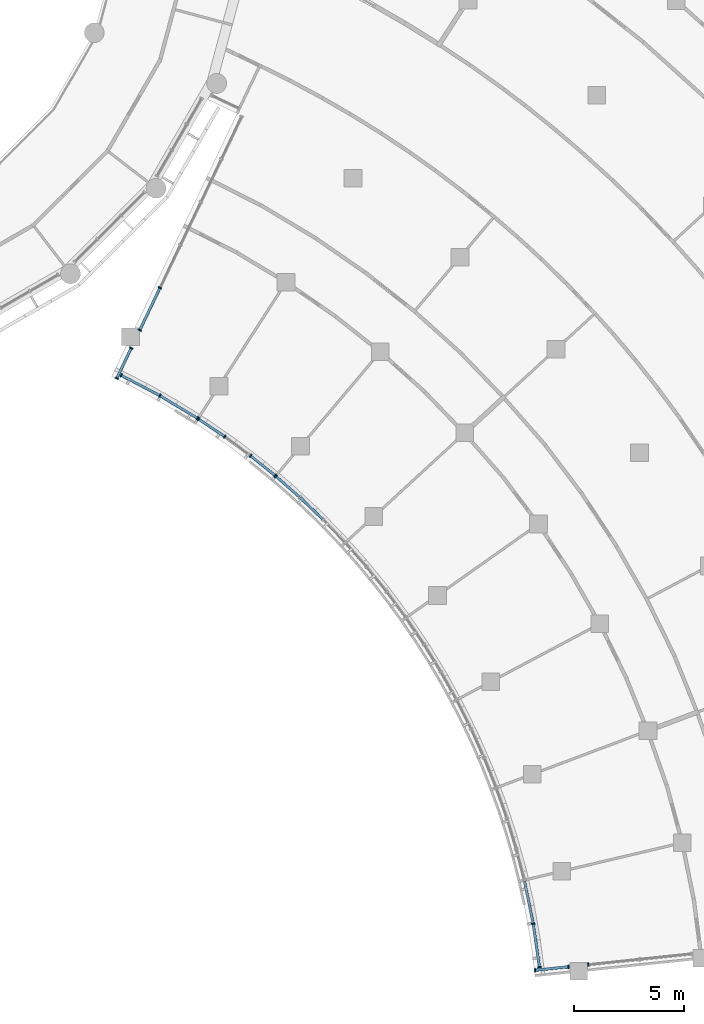
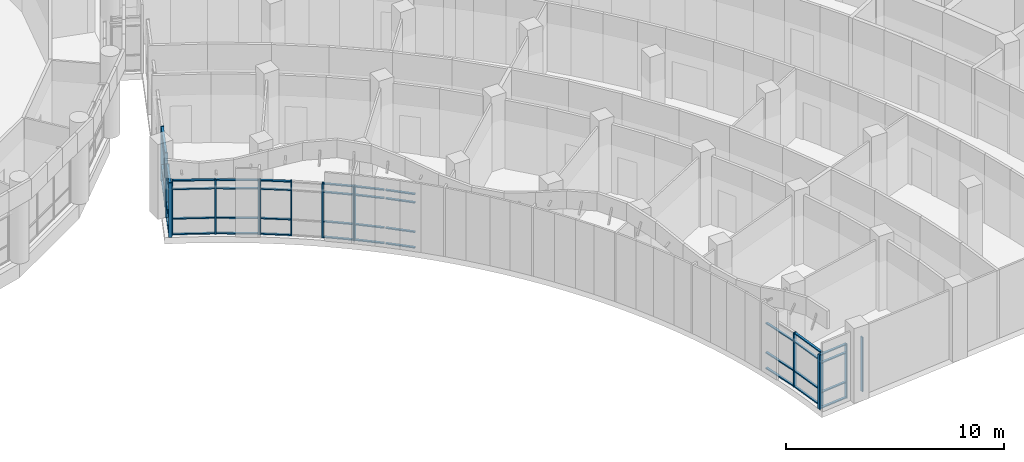
# One storey, part 11 of 109: 60 members, 8 elements without a shape of their own.
"""IFC4 building model written with IfcOpenShell, lengths in metres."""

import ifcopenshell
import ifcopenshell.guid

model = None  # the IFC model being written
_history = None  # IfcOwnerHistory: only IFC2X3 demands one
_inside = {}  # id of a spatial element -> (the spatial element, [elements in it])
_under = {}  # id of a project, library or spatial element -> (it, [spatial elements below it])
_declared = {}  # id of a project -> (the project, [libraries it declares])
_typed = {}  # id of a type object -> (the type object, [elements of that type])
_made_of = {}  # id of a material, layer set ... -> (it, [elements and type objects made of it])


def new_model(schema):
    """Start an empty IFC model of exactly this schema.

    Asked for "IFC4X3", IfcOpenShell would pick the latest addendum, in which some entities
    have other attributes; the version numbers below select the first issue.
    IFC2X3 requires an IfcOwnerHistory on every rooted entity: one is made here for all.
    """
    global model, _history
    if schema == "IFC4X3":
        model = ifcopenshell.file(schema_version=(4, 3, 0, 0))
    else:
        model = ifcopenshell.file(schema=schema)
    _inside.clear()
    _under.clear()
    _declared.clear()
    _typed.clear()
    _made_of.clear()
    _history = None
    if model.schema == "IFC2X3":
        org = make("IfcOrganization", Name="unknown")
        user = make(
            "IfcPersonAndOrganization",
            ThePerson=make("IfcPerson", FamilyName="unknown"),
            TheOrganization=org,
        )
        app = make(
            "IfcApplication",
            ApplicationDeveloper=org,
            Version="unknown",
            ApplicationFullName="unknown",
            ApplicationIdentifier="unknown",
        )
        _history = make(
            "IfcOwnerHistory",
            OwningUser=user,
            OwningApplication=app,
            ChangeAction="ADDED",
            CreationDate=0,
        )
    return model


def make(cls, **values):
    """One entity of the class cls with the attributes given. An attribute that is None is left unset."""
    return model.create_entity(
        cls, **{name: value for name, value in values.items() if value is not None}
    )


def rooted(cls, **values):
    """An entity with a GlobalId (a new one), such as an element, a storey or a relation."""
    return make(cls, GlobalId=ifcopenshell.guid.new(), OwnerHistory=_history, **values)


def si_unit(unit_type, name, prefix=None):
    """IfcSIUnit, for example si_unit("LENGTHUNIT", "METRE", prefix="MILLI")."""
    return make("IfcSIUnit", UnitType=unit_type, Prefix=prefix, Name=name)


def assignment(units):
    """IfcUnitAssignment: the units of a project."""
    return None if units is None else make("IfcUnitAssignment", Units=units)


def point(xyz):
    """IfcCartesianPoint."""
    return None if xyz is None else make("IfcCartesianPoint", Coordinates=xyz)


def direction(xyz):
    """IfcDirection."""
    return None if xyz is None else make("IfcDirection", DirectionRatios=xyz)


def frame(location, z_axis=None, x_axis=None):
    """IfcAxis2Placement3D, a coordinate frame: its origin and axes. An axis left out is left unset."""
    return make(
        "IfcAxis2Placement3D",
        Location=point(location),
        Axis=direction(z_axis),
        RefDirection=direction(x_axis),
    )


def frame_2d(location, x_axis=None):
    """IfcAxis2Placement2D, a coordinate frame in the plane: its origin and x axis."""
    return make(
        "IfcAxis2Placement2D", Location=point(location), RefDirection=direction(x_axis)
    )


def origin():
    """The frame at (0, 0, 0) with its axes left unset."""
    return frame((0.0, 0.0, 0.0))


def origin_2d():
    """The frame at (0, 0) in the plane with its x axis left unset."""
    return frame_2d((0.0, 0.0))


def place(relative_to, where):
    """IfcLocalPlacement: puts the frame where relative to a parent placement (None: the world)."""
    return make(
        "IfcLocalPlacement", PlacementRelTo=relative_to, RelativePlacement=where
    )


def context(
    kind, dimensions, precision=None, world=None, true_north=None, identifier=None
):
    """IfcGeometricRepresentationContext, for example the 3D "Model" context."""
    return make(
        "IfcGeometricRepresentationContext",
        ContextIdentifier=identifier,
        ContextType=kind,
        CoordinateSpaceDimension=dimensions,
        Precision=precision,
        WorldCoordinateSystem=world,
        TrueNorth=true_north,
    )


def subcontext(parent, identifier, kind, view, scale=None):
    """IfcGeometricRepresentationSubContext, for example "Body" below "Model"."""
    return make(
        "IfcGeometricRepresentationSubContext",
        ContextIdentifier=identifier,
        ContextType=kind,
        ParentContext=parent,
        TargetScale=scale,
        TargetView=view,
    )


def project(units=None, contexts=None):
    """IfcProject with its units and contexts."""
    return rooted(
        "IfcProject",
        Name="project",
        RepresentationContexts=contexts,
        UnitsInContext=assignment(units),
    )


def spatial(cls, under=None, at=None, **own):
    """A site, building, storey or space (cls), placed at a placement, below another one or the project."""
    s = rooted(cls, ObjectPlacement=at, **own)
    if under is not None:
        _under.setdefault(under.id(), (under, []))[1].append(s)
    return s


def profile(cls, at=None, kind="AREA", **sizes):
    """A parametric profile (cls). Its sizes go by their IFC names, for example OverallWidth=200.0."""
    return make(cls, ProfileType=kind, Position=at, **sizes)


def rectangle(**sizes):
    """IfcRectangleProfileDef."""
    return profile("IfcRectangleProfileDef", **sizes)


def extrude(swept, where, along, depth):
    """IfcExtrudedAreaSolid: the profile swept, set in the frame where, extruded along a direction by depth."""
    return make(
        "IfcExtrudedAreaSolid",
        SweptArea=swept,
        Position=where,
        ExtrudedDirection=direction(along),
        Depth=depth,
    )


def shape(context_of_items, identifier, shape_type, items):
    """IfcShapeRepresentation: the items that make up one representation, for example the "Body"."""
    return make(
        "IfcShapeRepresentation",
        ContextOfItems=context_of_items,
        RepresentationIdentifier=identifier,
        RepresentationType=shape_type,
        Items=items,
    )


def material(Name=None, Category=None):
    """IfcMaterial."""
    return make("IfcMaterial", Name=Name, Category=Category)


def material_profile(
    of_material, cross_section, Name=None, Category=None, Priority=None
):
    """IfcMaterialProfile: a cross section and its material."""
    return make(
        "IfcMaterialProfile",
        Name=Name,
        Material=of_material,
        Profile=cross_section,
        Priority=Priority,
        Category=Category,
    )


def profile_set(profiles, Name=None, composite=None):
    """IfcMaterialProfileSet."""
    return make(
        "IfcMaterialProfileSet",
        Name=Name,
        MaterialProfiles=profiles,
        CompositeProfile=composite,
    )


def made_of(thing, what):
    """Note that an element or type object is made of a material, layer set ...; save() writes the relation."""
    if what is not None:
        _made_of.setdefault(what.id(), (what, []))[1].append(thing)
    return thing


def type_object(cls, material=None, **own):
    """A type object (cls), such as IfcWallType, which elements share."""
    return made_of(rooted(cls, **own), material)


def element(
    cls,
    number,
    at=None,
    inside=None,
    cuts=None,
    type_object=None,
    material=None,
    context=None,
    identifier="Body",
    shape_type=None,
    held_by="IfcProductDefinitionShape",
    body=None,
    shapes=None,
    **own,
):
    """One element of the class cls, such as IfcWall. Its Tag is "e" and its number.

    at: its placement. inside: the storey or other place that contains it. cuts: it is an
    opening in that element (IfcRelVoidsElement). A single representation is given by context,
    identifier, shape_type and body (its items); several are given by shapes. held_by: the class
    of the entity that holds the representations. save() writes the other relations.
    """
    e = rooted(cls, Tag="e%d" % number, ObjectPlacement=at, **own)
    if body is not None:
        shapes = [shape(context, identifier, shape_type, body)]
    if shapes is not None:
        e.Representation = make(held_by, Representations=shapes)
    if inside is not None:
        _inside.setdefault(inside.id(), (inside, []))[1].append(e)
    if cuts is not None:
        rooted(
            "IfcRelVoidsElement", RelatingBuildingElement=cuts, RelatedOpeningElement=e
        )
    if type_object is not None:
        _typed.setdefault(type_object.id(), (type_object, []))[1].append(e)
    return made_of(e, material)


def aggregate(whole, parts):
    """IfcRelAggregates: a whole, such as a stair, and the parts it consists of."""
    return rooted("IfcRelAggregates", RelatingObject=whole, RelatedObjects=parts)


def save(model, path):
    """Write the relations noted so far, then the file.

    IfcRelAggregates (storeys below a building ...), IfcRelContainedInSpatialStructure (elements
    in a storey), IfcRelDefinesByType, IfcRelAssociatesMaterial and IfcRelDeclares: one each for
    every whole, place, type object, material and project.
    """
    for whole, parts in _under.values():
        aggregate(whole, parts)
    for where, things in _inside.values():
        rooted(
            "IfcRelContainedInSpatialStructure",
            RelatedElements=things,
            RelatingStructure=where,
        )
    for kind, things in _typed.values():
        rooted("IfcRelDefinesByType", RelatedObjects=things, RelatingType=kind)
    for what, things in _made_of.values():
        rooted("IfcRelAssociatesMaterial", RelatedObjects=things, RelatingMaterial=what)
    for by, libraries in _declared.values():
        rooted("IfcRelDeclares", RelatingContext=by, RelatedDefinitions=libraries)
    model.write(path)


model = new_model("IFC4")

# Units and contexts
model_context = context("Model", 3, precision=1e-05, world=origin(), true_north=direction((0.0, 1.0)))
body_context = subcontext(model_context, "Body", "Model", "MODEL_VIEW")
ifc_project = project(units=[si_unit("LENGTHUNIT", "METRE"), si_unit("AREAUNIT", "SQUARE_METRE"), si_unit("VOLUMEUNIT", "CUBIC_METRE"), si_unit("PLANEANGLEUNIT", "RADIAN"), si_unit("MASSUNIT", "GRAM", prefix="KILO")], contexts=[model_context])

# Site, building, storey
site_placement = place(None, origin())
site = spatial("IfcSite", under=ifc_project, at=site_placement, CompositionType="ELEMENT")
building_placement = place(site_placement, origin())
building = spatial("IfcBuilding", under=site, at=building_placement, Name="Bougainvillea Quay General Hospital", CompositionType="ELEMENT")
storey_placement = place(building_placement, frame((0.0, 0.0, 12.60009765625)))
storey = spatial("IfcBuildingStorey", under=building, at=storey_placement, Name="L02", CompositionType="ELEMENT", Elevation=12.60009765625)

# Curtain wall, members
ifc_material_1 = material(Name="Aluminium curtain wall system, powder-coated glazed", Category="aluminium")
curtain_wall_type_1 = type_object("IfcCurtainWallType", Name="Unitised curtain wall CW-2157", PredefinedType="NOTDEFINED", material=ifc_material_1)
curtain_wall_1_placement = place(storey_placement, origin())
curtain_wall_1 = element("IfcCurtainWall", 1, at=curtain_wall_1_placement, inside=storey, type_object=curtain_wall_type_1, Name="CW-AE 00", PredefinedType="NOTDEFINED")
ifc_material_2 = material(Name="Aluminium mullion, powder-coated charcoal", Category="aluminium")
ifc_material_profile_1 = material_profile(ifc_material_2, rectangle(XDim=0.159912109375, YDim=0.06005859375, at=origin_2d()))
ifc_profile_set_1 = profile_set([ifc_material_profile_1], Name="Aluminium mullion, powder-coated charcoal")
member_type_1 = type_object("IfcMemberType", Name="Curtain wall mullion 160x60", PredefinedType="MULLION", material=ifc_profile_set_1)
member_1_placement = place(storey_placement, frame((126.03271484375, 56.71044921875, 0.0), z_axis=(0.0, 0.0, 1.0), x_axis=(0.902576055431, -0.430530445105, 0.0)))
member_1 = element("IfcMember", 2, at=member_1_placement, type_object=member_type_1, Name="CW-AE mullion 5", PredefinedType="MULLION", context=body_context, shape_type="SweptSolid", body=[
    extrude(rectangle(XDim=0.159912109375, YDim=0.06005859375, at=origin_2d()), origin(), (0.0, 0.0, 1.0), 3.0498046875),
])
member_2_placement = place(storey_placement, frame((125.117431640625, 54.79150390625, 0.0), z_axis=(0.0, 0.0, 1.0), x_axis=(0.902576055431, -0.430530445105, 0.0)))
member_2 = element("IfcMember", 3, at=member_2_placement, type_object=member_type_1, Name="CW-AE mullion 6", PredefinedType="MULLION", context=body_context, shape_type="SweptSolid", body=[
    extrude(rectangle(XDim=0.159912109375, YDim=0.06005859375, at=origin_2d()), origin(), (0.0, 0.0, 1.0), 3.0498046875),
])

curtain_wall_type_2 = type_object("IfcCurtainWallType", Name="Unitised curtain wall CW-1580", PredefinedType="NOTDEFINED", material=ifc_material_1)
curtain_wall_2_placement = place(storey_placement, origin())
curtain_wall_2 = element("IfcCurtainWall", 4, at=curtain_wall_2_placement, inside=storey, type_object=curtain_wall_type_2, Name="CW-AE 01", PredefinedType="NOTDEFINED")
member_3_placement = place(storey_placement, frame((124.72998046875, 53.979248046875, 0.0), z_axis=(0.0, 0.0, 1.0), x_axis=(0.902576055431, -0.430530445105, 0.0)))
member_3 = element("IfcMember", 5, at=member_3_placement, type_object=member_type_1, Name="CW-AE mullion 1", PredefinedType="MULLION", context=body_context, shape_type="SweptSolid", body=[
    extrude(rectangle(XDim=0.159912109375, YDim=0.06005859375, at=origin_2d()), origin(), (0.0, 0.0, 1.0), 3.0498046875),
])
member_4_placement = place(storey_placement, frame((124.075439453125, 52.607421875, 0.0), z_axis=(0.0, 0.0, 1.0), x_axis=(0.902576055431, -0.430530445105, 0.0)))
member_4 = element("IfcMember", 6, at=member_4_placement, type_object=member_type_1, Name="CW-AE mullion 2", PredefinedType="MULLION", context=body_context, shape_type="SweptSolid", body=[
    extrude(rectangle(XDim=0.159912109375, YDim=0.06005859375, at=origin_2d()), origin(), (0.0, 0.0, 1.0), 3.0498046875),
])

curtain_wall_type_3 = type_object("IfcCurtainWallType", Name="Unitised curtain wall CW-2100", PredefinedType="NOTDEFINED", material=ifc_material_1)
curtain_wall_3_placement = place(storey_placement, origin())
curtain_wall_3 = element("IfcCurtainWall", 7, at=curtain_wall_3_placement, inside=storey, type_object=curtain_wall_type_3, Name="CW-E01 a21b0", PredefinedType="NOTDEFINED")
member_5_placement = place(storey_placement, frame((124.279541015625, 52.750732421875, 0.0), z_axis=(0.0, 0.0, 1.0), x_axis=(0.46572625668, 0.884928841116, 0.0)))
member_5 = element("IfcMember", 8, at=member_5_placement, type_object=member_type_1, Name="CW-E01 mullion 1", PredefinedType="MULLION", context=body_context, shape_type="SweptSolid", body=[
    extrude(rectangle(XDim=0.159912109375, YDim=0.06005859375, at=origin_2d()), origin(), (0.0, 0.0, 1.0), 3.0498046875),
])
member_6_placement = place(storey_placement, frame((126.035400390625, 51.82666015625, 0.0), z_axis=(0.0, 0.0, 1.0), x_axis=(0.491544628503, 0.870852385993, 0.0)))
member_6 = element("IfcMember", 9, at=member_6_placement, type_object=member_type_1, Name="CW-E01 mullion 2", PredefinedType="MULLION", context=body_context, shape_type="SweptSolid", body=[
    extrude(rectangle(XDim=0.159912109375, YDim=0.06005859375, at=origin_2d()), origin(), (0.0, 0.0, 1.0), 3.0498046875),
])
member_7_placement = place(storey_placement, frame((127.73388671875, 50.801025390625, 0.0), z_axis=(0.0, 0.0, 1.0), x_axis=(0.516937944525, 0.856022874409, 0.0)))
member_7 = element("IfcMember", 10, at=member_7_placement, type_object=member_type_1, Name="CW-E01 mullion 3", PredefinedType="MULLION", context=body_context, shape_type="SweptSolid", body=[
    extrude(rectangle(XDim=0.159912109375, YDim=0.06005859375, at=origin_2d()), origin(), (0.0, 0.0, 1.0), 3.0498046875),
])

curtain_wall_4_placement = place(storey_placement, origin())
curtain_wall_4 = element("IfcCurtainWall", 11, at=curtain_wall_4_placement, inside=storey, type_object=curtain_wall_type_3, Name="CW-E02 a21b1", PredefinedType="NOTDEFINED")
member_8_placement = place(storey_placement, frame((127.784423828125, 50.7685546875, 0.0), z_axis=(0.0, 0.0, 1.0), x_axis=(0.559636552705, 0.828738154592, 0.0)))
member_8 = element("IfcMember", 12, at=member_8_placement, type_object=member_type_1, Name="CW-E02 mullion 1", PredefinedType="MULLION", context=body_context, shape_type="SweptSolid", body=[
    extrude(rectangle(XDim=0.159912109375, YDim=0.06005859375, at=origin_2d()), origin(), (0.0, 0.0, 1.0), 3.0498046875),
])
member_9_placement = place(storey_placement, frame((128.966796875, 49.97021484375, 0.0), z_axis=(0.0, 0.0, 1.0), x_axis=(0.577135687937, 0.816648270499, 0.0)))
member_9 = element("IfcMember", 13, at=member_9_placement, type_object=member_type_1, Name="CW-E02 mullion 2", PredefinedType="MULLION", context=body_context, shape_type="SweptSolid", body=[
    extrude(rectangle(XDim=0.159912109375, YDim=0.06005859375, at=origin_2d()), origin(), (0.0, 0.0, 1.0), 3.0498046875),
])
member_10_placement = place(storey_placement, frame((130.138427734375, 49.104248046875, 0.0), z_axis=(0.0, 0.0, 1.0), x_axis=(0.611342897557, 0.791365820343, 0.0)))
member_10 = element("IfcMember", 14, at=member_10_placement, type_object=member_type_1, Name="CW-E02 mullion 3", PredefinedType="MULLION", context=body_context, shape_type="SweptSolid", body=[
    extrude(rectangle(XDim=0.159912109375, YDim=0.06005859375, at=origin_2d()), origin(), (0.0, 0.0, 1.0), 3.0498046875),
])
member_11_placement = place(storey_placement, frame((131.248779296875, 48.2080078125, 0.0), z_axis=(0.0, 0.0, 1.0), x_axis=(0.628035497086, 0.778184691702, 0.0)))
member_11 = element("IfcMember", 15, at=member_11_placement, type_object=member_type_1, Name="CW-E02 mullion 4", PredefinedType="MULLION", context=body_context, shape_type="SweptSolid", body=[
    extrude(rectangle(XDim=0.159912109375, YDim=0.06005859375, at=origin_2d()), origin(), (0.0, 0.0, 1.0), 3.0498046875),
])

# Curtain wall, member
curtain_wall_5_placement = place(storey_placement, origin())
curtain_wall_5 = element("IfcCurtainWall", 16, at=curtain_wall_5_placement, inside=storey, type_object=curtain_wall_type_3, Name="CW-E03 a21b2", PredefinedType="NOTDEFINED")
member_12_placement = place(storey_placement, frame((131.294677734375, 48.16943359375, 0.0), z_axis=(0.0, 0.0, 1.0), x_axis=(0.660560931643, 0.750772439283, 0.0)))
member_12 = element("IfcMember", 17, at=member_12_placement, type_object=member_type_1, Name="CW-E03 mullion 1", PredefinedType="MULLION", context=body_context, shape_type="SweptSolid", body=[
    extrude(rectangle(XDim=0.159912109375, YDim=0.06005859375, at=origin_2d()), origin(), (0.0, 0.0, 1.0), 3.0498046875),
])

# Curtain wall, members
curtain_wall_6_placement = place(storey_placement, origin())
curtain_wall_6 = element("IfcCurtainWall", 18, at=curtain_wall_6_placement, inside=storey, type_object=curtain_wall_type_3, Name="CW-E08 a21b7", PredefinedType="NOTDEFINED")
member_13_placement = place(storey_placement, frame((142.935302734375, 27.914794921875, 0.0), z_axis=(0.0, 0.0, 1.0), x_axis=(0.984975544783, 0.172693879972, 0.0)))
member_13 = element("IfcMember", 19, at=member_13_placement, type_object=member_type_1, Name="CW-E08 mullion 2", PredefinedType="MULLION", context=body_context, shape_type="SweptSolid", body=[
    extrude(rectangle(XDim=0.159912109375, YDim=0.06005859375, at=origin_2d()), origin(), (0.0, 0.0, 1.0), 3.0498046875),
])
member_14_placement = place(storey_placement, frame((143.220458984375, 25.9501953125, 0.0), z_axis=(0.0, 0.0, 1.0), x_axis=(0.989629521715, 0.143643342173, 0.0)))
member_14 = element("IfcMember", 20, at=member_14_placement, type_object=member_type_1, Name="CW-E08 mullion 3", PredefinedType="MULLION", context=body_context, shape_type="SweptSolid", body=[
    extrude(rectangle(XDim=0.159912109375, YDim=0.06005859375, at=origin_2d()), origin(), (0.0, 0.0, 1.0), 3.0498046875),
])

curtain_wall_type_4 = type_object("IfcCurtainWallType", Name="Unitised curtain wall CW-1581", PredefinedType="NOTDEFINED", material=ifc_material_1)
curtain_wall_7_placement = place(storey_placement, origin())
curtain_wall_7 = element("IfcCurtainWall", 21, at=curtain_wall_7_placement, inside=storey, type_object=curtain_wall_type_4, Name="CW-AE 00", PredefinedType="NOTDEFINED")
member_15_placement = place(storey_placement, frame((143.017822265625, 25.8056640625, 0.0), z_axis=(0.0, 0.0, 1.0), x_axis=(-0.104527173765, 0.9945220309, 0.0)))
member_15 = element("IfcMember", 22, at=member_15_placement, type_object=member_type_1, Name="CW-AE mullion 1", PredefinedType="MULLION", context=body_context, shape_type="SweptSolid", body=[
    extrude(rectangle(XDim=0.159912109375, YDim=0.06005859375, at=origin_2d()), origin(), (0.0, 0.0, 1.0), 3.0498046875),
])
member_16_placement = place(storey_placement, frame((144.529541015625, 25.964599609375, 0.0), z_axis=(0.0, 0.0, 1.0), x_axis=(-0.104527173765, 0.9945220309, 0.0)))
member_16 = element("IfcMember", 23, at=member_16_placement, type_object=member_type_1, Name="CW-AE mullion 2", PredefinedType="MULLION", context=body_context, shape_type="SweptSolid", body=[
    extrude(rectangle(XDim=0.159912109375, YDim=0.06005859375, at=origin_2d()), origin(), (0.0, 0.0, 1.0), 3.0498046875),
])

# Curtain wall, member
curtain_wall_type_5 = type_object("IfcCurtainWallType", Name="Unitised curtain wall CW-2380", PredefinedType="NOTDEFINED", material=ifc_material_1)
curtain_wall_8_placement = place(storey_placement, origin())
curtain_wall_8 = element("IfcCurtainWall", 24, at=curtain_wall_8_placement, inside=storey, type_object=curtain_wall_type_5, Name="CW-AE 01", PredefinedType="NOTDEFINED")
member_17_placement = place(storey_placement, frame((145.4248046875, 26.058837890625, 0.0), z_axis=(0.0, 0.0, 1.0), x_axis=(-0.104527173765, 0.9945220309, 0.0)))
member_17 = element("IfcMember", 25, at=member_17_placement, type_object=member_type_1, Name="CW-AE mullion 1", PredefinedType="MULLION", context=body_context, shape_type="SweptSolid", body=[
    extrude(rectangle(XDim=0.159912109375, YDim=0.06005859375, at=origin_2d()), origin(), (0.0, 0.0, 1.0), 3.0498046875),
])
aggregate(curtain_wall_8, [member_17])

# Member
ifc_material_3 = material(Name="Aluminium transom, powder-coated charcoal", Category="aluminium")
ifc_material_profile_2 = material_profile(ifc_material_3, rectangle(XDim=0.1201171875, YDim=0.06005859375, at=origin_2d()))
ifc_profile_set_2 = profile_set([ifc_material_profile_2], Name="Aluminium transom, powder-coated charcoal")
member_type_2 = type_object("IfcMemberType", Name="Curtain wall transom 120x60", PredefinedType="USERDEFINED", material=ifc_profile_set_2)
member_18_placement = place(storey_placement, frame((126.019775390625, 56.683349609375, 0.02978515625), z_axis=(-0.430497703886, -0.902591672324, 0.0), x_axis=(0.902591672324, -0.430497703886, 0.0)))
member_18 = element("IfcMember", 26, at=member_18_placement, type_object=member_type_2, Name="CW-AE transom 5.1", ObjectType="TRANSOM", PredefinedType="USERDEFINED", context=body_context, shape_type="SweptSolid", body=[
    extrude(rectangle(XDim=0.1201171875, YDim=0.06005859375, at=origin_2d()), origin(), (0.0, 0.0, 1.0), 2.06591796875),
])

member_19_placement = place(storey_placement, frame((126.019775390625, 56.683349609375, 0.89990234375), z_axis=(-0.430497703886, -0.902591672324, 0.0), x_axis=(0.902591672324, -0.430497703886, 0.0)))
member_19 = element("IfcMember", 27, at=member_19_placement, type_object=member_type_2, Name="CW-AE transom 5.2", ObjectType="TRANSOM", PredefinedType="USERDEFINED", context=body_context, shape_type="SweptSolid", body=[
    extrude(rectangle(XDim=0.1201171875, YDim=0.06005859375, at=origin_2d()), origin(), (0.0, 0.0, 1.0), 2.06591796875),
])

member_20_placement = place(storey_placement, frame((126.019775390625, 56.683349609375, 2.5498046875), z_axis=(-0.430497703886, -0.902591672324, 0.0), x_axis=(0.902591672324, -0.430497703886, 0.0)))
member_20 = element("IfcMember", 28, at=member_20_placement, type_object=member_type_2, Name="CW-AE transom 5.3", ObjectType="TRANSOM", PredefinedType="USERDEFINED", context=body_context, shape_type="SweptSolid", body=[
    extrude(rectangle(XDim=0.1201171875, YDim=0.06005859375, at=origin_2d()), origin(), (0.0, 0.0, 1.0), 2.06591796875),
])

member_21_placement = place(storey_placement, frame((126.019775390625, 56.683349609375, 3.02001953125), z_axis=(-0.430497703886, -0.902591672324, 0.0), x_axis=(0.902591672324, -0.430497703886, 0.0)))
member_21 = element("IfcMember", 29, at=member_21_placement, type_object=member_type_2, Name="CW-AE transom 5.4", ObjectType="TRANSOM", PredefinedType="USERDEFINED", context=body_context, shape_type="SweptSolid", body=[
    extrude(rectangle(XDim=0.1201171875, YDim=0.06005859375, at=origin_2d()), origin(), (0.0, 0.0, 1.0), 2.06591796875),
])

aggregate(curtain_wall_1, [member_1, member_2, member_18, member_19, member_20, member_21])

member_22_placement = place(storey_placement, frame((124.717041015625, 53.9521484375, 0.02978515625), z_axis=(-0.430615048018, -0.902535694818, 0.0), x_axis=(0.902535694818, -0.430615048018, 0.0)))
member_22 = element("IfcMember", 30, at=member_22_placement, type_object=member_type_2, Name="CW-AE transom 1.1", ObjectType="TRANSOM", PredefinedType="USERDEFINED", context=body_context, shape_type="SweptSolid", body=[
    extrude(rectangle(XDim=0.1201171875, YDim=0.06005859375, at=origin_2d()), origin(), (0.0, 0.0, 1.0), 1.4599609375),
])

member_23_placement = place(storey_placement, frame((124.717041015625, 53.9521484375, 0.89990234375), z_axis=(-0.430615048018, -0.902535694818, 0.0), x_axis=(0.902535694818, -0.430615048018, 0.0)))
member_23 = element("IfcMember", 31, at=member_23_placement, type_object=member_type_2, Name="CW-AE transom 1.2", ObjectType="TRANSOM", PredefinedType="USERDEFINED", context=body_context, shape_type="SweptSolid", body=[
    extrude(rectangle(XDim=0.1201171875, YDim=0.06005859375, at=origin_2d()), origin(), (0.0, 0.0, 1.0), 1.4599609375),
])

member_24_placement = place(storey_placement, frame((124.717041015625, 53.9521484375, 2.5498046875), z_axis=(-0.430615048018, -0.902535694818, 0.0), x_axis=(0.902535694818, -0.430615048018, 0.0)))
member_24 = element("IfcMember", 32, at=member_24_placement, type_object=member_type_2, Name="CW-AE transom 1.3", ObjectType="TRANSOM", PredefinedType="USERDEFINED", context=body_context, shape_type="SweptSolid", body=[
    extrude(rectangle(XDim=0.1201171875, YDim=0.06005859375, at=origin_2d()), origin(), (0.0, 0.0, 1.0), 1.4599609375),
])

member_25_placement = place(storey_placement, frame((124.717041015625, 53.9521484375, 3.02001953125), z_axis=(-0.430615048018, -0.902535694818, 0.0), x_axis=(0.902535694818, -0.430615048018, 0.0)))
member_25 = element("IfcMember", 33, at=member_25_placement, type_object=member_type_2, Name="CW-AE transom 1.4", ObjectType="TRANSOM", PredefinedType="USERDEFINED", context=body_context, shape_type="SweptSolid", body=[
    extrude(rectangle(XDim=0.1201171875, YDim=0.06005859375, at=origin_2d()), origin(), (0.0, 0.0, 1.0), 1.4599609375),
])

aggregate(curtain_wall_2, [member_3, member_4, member_22, member_23, member_24, member_25])

member_26_placement = place(storey_placement, frame((124.30615234375, 52.73681640625, 0.02978515625), z_axis=(0.884893449726, -0.465793497841, 0.0), x_axis=(0.465793497841, 0.884893449726, 0.0)))
member_26 = element("IfcMember", 34, at=member_26_placement, type_object=member_type_2, Name="CW-E01 transom 1.1", ObjectType="TRANSOM", PredefinedType="USERDEFINED", context=body_context, shape_type="SweptSolid", body=[
    extrude(rectangle(XDim=0.1201171875, YDim=0.06005859375, at=origin_2d()), origin(), (0.0, 0.0, 1.0), 1.924072265625),
])

member_27_placement = place(storey_placement, frame((124.30615234375, 52.73681640625, 0.89990234375), z_axis=(0.884893449726, -0.465793497841, 0.0), x_axis=(0.465793497841, 0.884893449726, 0.0)))
member_27 = element("IfcMember", 35, at=member_27_placement, type_object=member_type_2, Name="CW-E01 transom 1.2", ObjectType="TRANSOM", PredefinedType="USERDEFINED", context=body_context, shape_type="SweptSolid", body=[
    extrude(rectangle(XDim=0.1201171875, YDim=0.06005859375, at=origin_2d()), origin(), (0.0, 0.0, 1.0), 1.924072265625),
])

member_28_placement = place(storey_placement, frame((124.30615234375, 52.73681640625, 2.5498046875), z_axis=(0.884893449726, -0.465793497841, 0.0), x_axis=(0.465793497841, 0.884893449726, 0.0)))
member_28 = element("IfcMember", 36, at=member_28_placement, type_object=member_type_2, Name="CW-E01 transom 1.3", ObjectType="TRANSOM", PredefinedType="USERDEFINED", context=body_context, shape_type="SweptSolid", body=[
    extrude(rectangle(XDim=0.1201171875, YDim=0.06005859375, at=origin_2d()), origin(), (0.0, 0.0, 1.0), 1.924072265625),
])

member_29_placement = place(storey_placement, frame((124.30615234375, 52.73681640625, 3.02001953125), z_axis=(0.884893449726, -0.465793497841, 0.0), x_axis=(0.465793497841, 0.884893449726, 0.0)))
member_29 = element("IfcMember", 37, at=member_29_placement, type_object=member_type_2, Name="CW-E01 transom 1.4", ObjectType="TRANSOM", PredefinedType="USERDEFINED", context=body_context, shape_type="SweptSolid", body=[
    extrude(rectangle(XDim=0.1201171875, YDim=0.06005859375, at=origin_2d()), origin(), (0.0, 0.0, 1.0), 1.924072265625),
])

member_30_placement = place(storey_placement, frame((126.06103515625, 51.81103515625, 0.02978515625), z_axis=(0.856045378247, -0.516900677483, 0.0), x_axis=(0.516900677483, 0.856045378247, 0.0)))
member_30 = element("IfcMember", 38, at=member_30_placement, type_object=member_type_2, Name="CW-E01 transom 2.1", ObjectType="TRANSOM", PredefinedType="USERDEFINED", context=body_context, shape_type="SweptSolid", body=[
    extrude(rectangle(XDim=0.1201171875, YDim=0.06005859375, at=origin_2d()), origin(), (0.0, 0.0, 1.0), 1.92431640625),
])

member_31_placement = place(storey_placement, frame((126.06103515625, 51.81103515625, 0.89990234375), z_axis=(0.856045378247, -0.516900677483, 0.0), x_axis=(0.516900677483, 0.856045378247, 0.0)))
member_31 = element("IfcMember", 39, at=member_31_placement, type_object=member_type_2, Name="CW-E01 transom 2.2", ObjectType="TRANSOM", PredefinedType="USERDEFINED", context=body_context, shape_type="SweptSolid", body=[
    extrude(rectangle(XDim=0.1201171875, YDim=0.06005859375, at=origin_2d()), origin(), (0.0, 0.0, 1.0), 1.92431640625),
])

member_32_placement = place(storey_placement, frame((126.06103515625, 51.81103515625, 2.5498046875), z_axis=(0.856045378247, -0.516900677483, 0.0), x_axis=(0.516900677483, 0.856045378247, 0.0)))
member_32 = element("IfcMember", 40, at=member_32_placement, type_object=member_type_2, Name="CW-E01 transom 2.3", ObjectType="TRANSOM", PredefinedType="USERDEFINED", context=body_context, shape_type="SweptSolid", body=[
    extrude(rectangle(XDim=0.1201171875, YDim=0.06005859375, at=origin_2d()), origin(), (0.0, 0.0, 1.0), 1.92431640625),
])

member_33_placement = place(storey_placement, frame((126.06103515625, 51.81103515625, 3.02001953125), z_axis=(0.856045378247, -0.516900677483, 0.0), x_axis=(0.516900677483, 0.856045378247, 0.0)))
member_33 = element("IfcMember", 41, at=member_33_placement, type_object=member_type_2, Name="CW-E01 transom 2.4", ObjectType="TRANSOM", PredefinedType="USERDEFINED", context=body_context, shape_type="SweptSolid", body=[
    extrude(rectangle(XDim=0.1201171875, YDim=0.06005859375, at=origin_2d()), origin(), (0.0, 0.0, 1.0), 1.92431640625),
])

aggregate(curtain_wall_3, [member_5, member_6, member_7, member_26, member_27, member_28, member_29, member_30, member_31, member_32, member_33])

member_34_placement = place(storey_placement, frame((127.809326171875, 50.751953125, 0.02978515625), z_axis=(0.828627038145, -0.559801064356, 0.0), x_axis=(0.559801064356, 0.828627038145, 0.0)))
member_34 = element("IfcMember", 42, at=member_34_placement, type_object=member_type_2, Name="CW-E02 transom 1.1", ObjectType="TRANSOM", PredefinedType="USERDEFINED", context=body_context, shape_type="SweptSolid", body=[
    extrude(rectangle(XDim=0.1201171875, YDim=0.06005859375, at=origin_2d()), origin(), (0.0, 0.0, 1.0), 1.36669921875),
])

member_35_placement = place(storey_placement, frame((127.809326171875, 50.751953125, 0.89990234375), z_axis=(0.828627038145, -0.559801064356, 0.0), x_axis=(0.559801064356, 0.828627038145, 0.0)))
member_35 = element("IfcMember", 43, at=member_35_placement, type_object=member_type_2, Name="CW-E02 transom 1.2", ObjectType="TRANSOM", PredefinedType="USERDEFINED", context=body_context, shape_type="SweptSolid", body=[
    extrude(rectangle(XDim=0.1201171875, YDim=0.06005859375, at=origin_2d()), origin(), (0.0, 0.0, 1.0), 1.36669921875),
])

member_36_placement = place(storey_placement, frame((127.809326171875, 50.751953125, 2.5498046875), z_axis=(0.828627038145, -0.559801064356, 0.0), x_axis=(0.559801064356, 0.828627038145, 0.0)))
member_36 = element("IfcMember", 44, at=member_36_placement, type_object=member_type_2, Name="CW-E02 transom 1.3", ObjectType="TRANSOM", PredefinedType="USERDEFINED", context=body_context, shape_type="SweptSolid", body=[
    extrude(rectangle(XDim=0.1201171875, YDim=0.06005859375, at=origin_2d()), origin(), (0.0, 0.0, 1.0), 1.36669921875),
])

member_37_placement = place(storey_placement, frame((127.809326171875, 50.751953125, 3.02001953125), z_axis=(0.828627038145, -0.559801064356, 0.0), x_axis=(0.559801064356, 0.828627038145, 0.0)))
member_37 = element("IfcMember", 45, at=member_37_placement, type_object=member_type_2, Name="CW-E02 transom 1.4", ObjectType="TRANSOM", PredefinedType="USERDEFINED", context=body_context, shape_type="SweptSolid", body=[
    extrude(rectangle(XDim=0.1201171875, YDim=0.06005859375, at=origin_2d()), origin(), (0.0, 0.0, 1.0), 1.36669921875),
])

member_38_placement = place(storey_placement, frame((130.161865234375, 49.08544921875, 0.02978515625), z_axis=(0.778213103067, -0.628000291573, 0.0), x_axis=(0.628000291573, 0.778213103067, 0.0)))
member_38 = element("IfcMember", 46, at=member_38_placement, type_object=member_type_2, Name="CW-E02 transom 3.1", ObjectType="TRANSOM", PredefinedType="USERDEFINED", context=body_context, shape_type="SweptSolid", body=[
    extrude(rectangle(XDim=0.1201171875, YDim=0.06005859375, at=origin_2d()), origin(), (0.0, 0.0, 1.0), 1.366943359375),
])

member_39_placement = place(storey_placement, frame((130.161865234375, 49.08544921875, 0.89990234375), z_axis=(0.778213103067, -0.628000291573, 0.0), x_axis=(0.628000291573, 0.778213103067, 0.0)))
member_39 = element("IfcMember", 47, at=member_39_placement, type_object=member_type_2, Name="CW-E02 transom 3.2", ObjectType="TRANSOM", PredefinedType="USERDEFINED", context=body_context, shape_type="SweptSolid", body=[
    extrude(rectangle(XDim=0.1201171875, YDim=0.06005859375, at=origin_2d()), origin(), (0.0, 0.0, 1.0), 1.366943359375),
])

member_40_placement = place(storey_placement, frame((130.161865234375, 49.08544921875, 2.5498046875), z_axis=(0.778213103067, -0.628000291573, 0.0), x_axis=(0.628000291573, 0.778213103067, 0.0)))
member_40 = element("IfcMember", 48, at=member_40_placement, type_object=member_type_2, Name="CW-E02 transom 3.3", ObjectType="TRANSOM", PredefinedType="USERDEFINED", context=body_context, shape_type="SweptSolid", body=[
    extrude(rectangle(XDim=0.1201171875, YDim=0.06005859375, at=origin_2d()), origin(), (0.0, 0.0, 1.0), 1.366943359375),
])

member_41_placement = place(storey_placement, frame((130.161865234375, 49.08544921875, 3.02001953125), z_axis=(0.778213103067, -0.628000291573, 0.0), x_axis=(0.628000291573, 0.778213103067, 0.0)))
member_41 = element("IfcMember", 49, at=member_41_placement, type_object=member_type_2, Name="CW-E02 transom 3.4", ObjectType="TRANSOM", PredefinedType="USERDEFINED", context=body_context, shape_type="SweptSolid", body=[
    extrude(rectangle(XDim=0.1201171875, YDim=0.06005859375, at=origin_2d()), origin(), (0.0, 0.0, 1.0), 1.366943359375),
])

aggregate(curtain_wall_4, [member_8, member_9, member_10, member_11, member_34, member_35, member_36, member_37, member_38, member_39, member_40, member_41])

member_42_placement = place(storey_placement, frame((131.317138671875, 48.149658203125, 0.02978515625), z_axis=(0.750848138241, -0.660474884685, 0.0), x_axis=(0.660474884685, 0.750848138241, 0.0)))
member_42 = element("IfcMember", 50, at=member_42_placement, type_object=member_type_2, Name="CW-E03 transom 1.1", ObjectType="TRANSOM", PredefinedType="USERDEFINED", context=body_context, shape_type="SweptSolid", body=[
    extrude(rectangle(XDim=0.1201171875, YDim=0.06005859375, at=origin_2d()), origin(), (0.0, 0.0, 1.0), 1.366943359375),
])

member_43_placement = place(storey_placement, frame((131.317138671875, 48.149658203125, 0.89990234375), z_axis=(0.750848138241, -0.660474884685, 0.0), x_axis=(0.660474884685, 0.750848138241, 0.0)))
member_43 = element("IfcMember", 51, at=member_43_placement, type_object=member_type_2, Name="CW-E03 transom 1.2", ObjectType="TRANSOM", PredefinedType="USERDEFINED", context=body_context, shape_type="SweptSolid", body=[
    extrude(rectangle(XDim=0.1201171875, YDim=0.06005859375, at=origin_2d()), origin(), (0.0, 0.0, 1.0), 1.366943359375),
])

member_44_placement = place(storey_placement, frame((131.317138671875, 48.149658203125, 2.5498046875), z_axis=(0.750848138241, -0.660474884685, 0.0), x_axis=(0.660474884685, 0.750848138241, 0.0)))
member_44 = element("IfcMember", 52, at=member_44_placement, type_object=member_type_2, Name="CW-E03 transom 1.3", ObjectType="TRANSOM", PredefinedType="USERDEFINED", context=body_context, shape_type="SweptSolid", body=[
    extrude(rectangle(XDim=0.1201171875, YDim=0.06005859375, at=origin_2d()), origin(), (0.0, 0.0, 1.0), 1.366943359375),
])

member_45_placement = place(storey_placement, frame((131.317138671875, 48.149658203125, 3.02001953125), z_axis=(0.750848138241, -0.660474884685, 0.0), x_axis=(0.660474884685, 0.750848138241, 0.0)))
member_45 = element("IfcMember", 53, at=member_45_placement, type_object=member_type_2, Name="CW-E03 transom 1.4", ObjectType="TRANSOM", PredefinedType="USERDEFINED", context=body_context, shape_type="SweptSolid", body=[
    extrude(rectangle(XDim=0.1201171875, YDim=0.06005859375, at=origin_2d()), origin(), (0.0, 0.0, 1.0), 1.366943359375),
])

member_46_placement = place(storey_placement, frame((132.3876953125, 47.2060546875, 0.02978515625), z_axis=(0.722064602887, -0.69182563501, 0.0), x_axis=(0.69182563501, 0.722064602887, 0.0)))
member_46 = element("IfcMember", 54, at=member_46_placement, type_object=member_type_2, Name="CW-E03 transom 2.1", ObjectType="TRANSOM", PredefinedType="USERDEFINED", context=body_context, shape_type="SweptSolid", body=[
    extrude(rectangle(XDim=0.1201171875, YDim=0.06005859375, at=origin_2d()), origin(), (0.0, 0.0, 1.0), 1.396728515625),
])

member_47_placement = place(storey_placement, frame((132.3876953125, 47.2060546875, 0.89990234375), z_axis=(0.722064602887, -0.69182563501, 0.0), x_axis=(0.69182563501, 0.722064602887, 0.0)))
member_47 = element("IfcMember", 55, at=member_47_placement, type_object=member_type_2, Name="CW-E03 transom 2.2", ObjectType="TRANSOM", PredefinedType="USERDEFINED", context=body_context, shape_type="SweptSolid", body=[
    extrude(rectangle(XDim=0.1201171875, YDim=0.06005859375, at=origin_2d()), origin(), (0.0, 0.0, 1.0), 1.396728515625),
])

member_48_placement = place(storey_placement, frame((132.3876953125, 47.2060546875, 2.5498046875), z_axis=(0.722064602887, -0.69182563501, 0.0), x_axis=(0.69182563501, 0.722064602887, 0.0)))
member_48 = element("IfcMember", 56, at=member_48_placement, type_object=member_type_2, Name="CW-E03 transom 2.3", ObjectType="TRANSOM", PredefinedType="USERDEFINED", context=body_context, shape_type="SweptSolid", body=[
    extrude(rectangle(XDim=0.1201171875, YDim=0.06005859375, at=origin_2d()), origin(), (0.0, 0.0, 1.0), 1.396728515625),
])

member_49_placement = place(storey_placement, frame((132.3876953125, 47.2060546875, 3.02001953125), z_axis=(0.722064602887, -0.69182563501, 0.0), x_axis=(0.69182563501, 0.722064602887, 0.0)))
member_49 = element("IfcMember", 57, at=member_49_placement, type_object=member_type_2, Name="CW-E03 transom 2.4", ObjectType="TRANSOM", PredefinedType="USERDEFINED", context=body_context, shape_type="SweptSolid", body=[
    extrude(rectangle(XDim=0.1201171875, YDim=0.06005859375, at=origin_2d()), origin(), (0.0, 0.0, 1.0), 1.396728515625),
])

aggregate(curtain_wall_5, [member_12, member_42, member_43, member_44, member_45, member_46, member_47, member_48, member_49])

member_50_placement = place(storey_placement, frame((142.541259765625, 29.829833984375, 0.02978515625), z_axis=(0.201502639399, -0.979487971501, 0.0), x_axis=(0.979487971501, 0.201502639399, 0.0)))
member_50 = element("IfcMember", 58, at=member_50_placement, type_object=member_type_2, Name="CW-E08 transom 1.1", ObjectType="TRANSOM", PredefinedType="USERDEFINED", context=body_context, shape_type="SweptSolid", body=[
    extrude(rectangle(XDim=0.1201171875, YDim=0.06005859375, at=origin_2d()), origin(), (0.0, 0.0, 1.0), 1.92529296875),
])

member_51_placement = place(storey_placement, frame((142.541259765625, 29.829833984375, 0.89990234375), z_axis=(0.201502639399, -0.979487971501, 0.0), x_axis=(0.979487971501, 0.201502639399, 0.0)))
member_51 = element("IfcMember", 59, at=member_51_placement, type_object=member_type_2, Name="CW-E08 transom 1.2", ObjectType="TRANSOM", PredefinedType="USERDEFINED", context=body_context, shape_type="SweptSolid", body=[
    extrude(rectangle(XDim=0.1201171875, YDim=0.06005859375, at=origin_2d()), origin(), (0.0, 0.0, 1.0), 1.92529296875),
])

member_52_placement = place(storey_placement, frame((142.541259765625, 29.829833984375, 2.5498046875), z_axis=(0.201502639399, -0.979487971501, 0.0), x_axis=(0.979487971501, 0.201502639399, 0.0)))
member_52 = element("IfcMember", 60, at=member_52_placement, type_object=member_type_2, Name="CW-E08 transom 1.3", ObjectType="TRANSOM", PredefinedType="USERDEFINED", context=body_context, shape_type="SweptSolid", body=[
    extrude(rectangle(XDim=0.1201171875, YDim=0.06005859375, at=origin_2d()), origin(), (0.0, 0.0, 1.0), 1.92529296875),
])

member_53_placement = place(storey_placement, frame((142.939697265625, 27.885009765625, 0.02978515625), z_axis=(0.143569492441, -0.989640238087, 0.0), x_axis=(0.989640238087, 0.143569492441, 0.0)))
member_53 = element("IfcMember", 61, at=member_53_placement, type_object=member_type_2, Name="CW-E08 transom 2.1", ObjectType="TRANSOM", PredefinedType="USERDEFINED", context=body_context, shape_type="SweptSolid", body=[
    extrude(rectangle(XDim=0.1201171875, YDim=0.06005859375, at=origin_2d()), origin(), (0.0, 0.0, 1.0), 1.925048828125),
])

member_54_placement = place(storey_placement, frame((142.939697265625, 27.885009765625, 0.89990234375), z_axis=(0.143569492441, -0.989640238087, 0.0), x_axis=(0.989640238087, 0.143569492441, 0.0)))
member_54 = element("IfcMember", 62, at=member_54_placement, type_object=member_type_2, Name="CW-E08 transom 2.2", ObjectType="TRANSOM", PredefinedType="USERDEFINED", context=body_context, shape_type="SweptSolid", body=[
    extrude(rectangle(XDim=0.1201171875, YDim=0.06005859375, at=origin_2d()), origin(), (0.0, 0.0, 1.0), 1.925048828125),
])

member_55_placement = place(storey_placement, frame((142.939697265625, 27.885009765625, 2.5498046875), z_axis=(0.143569492441, -0.989640238087, 0.0), x_axis=(0.989640238087, 0.143569492441, 0.0)))
member_55 = element("IfcMember", 63, at=member_55_placement, type_object=member_type_2, Name="CW-E08 transom 2.3", ObjectType="TRANSOM", PredefinedType="USERDEFINED", context=body_context, shape_type="SweptSolid", body=[
    extrude(rectangle(XDim=0.1201171875, YDim=0.06005859375, at=origin_2d()), origin(), (0.0, 0.0, 1.0), 1.925048828125),
])

member_56_placement = place(storey_placement, frame((142.939697265625, 27.885009765625, 3.02001953125), z_axis=(0.143569492441, -0.989640238087, 0.0), x_axis=(0.989640238087, 0.143569492441, 0.0)))
member_56 = element("IfcMember", 64, at=member_56_placement, type_object=member_type_2, Name="CW-E08 transom 2.4", ObjectType="TRANSOM", PredefinedType="USERDEFINED", context=body_context, shape_type="SweptSolid", body=[
    extrude(rectangle(XDim=0.1201171875, YDim=0.06005859375, at=origin_2d()), origin(), (0.0, 0.0, 1.0), 1.925048828125),
])

aggregate(curtain_wall_6, [member_13, member_14, member_50, member_51, member_52, member_53, member_54, member_55, member_56])

member_57_placement = place(storey_placement, frame((143.047607421875, 25.808837890625, 0.02978515625), z_axis=(0.994524675946, 0.10450200445, 0.0), x_axis=(-0.10450200445, 0.994524675946, 0.0)))
member_57 = element("IfcMember", 65, at=member_57_placement, type_object=member_type_2, Name="CW-AE transom 1.1", ObjectType="TRANSOM", PredefinedType="USERDEFINED", context=body_context, shape_type="SweptSolid", body=[
    extrude(rectangle(XDim=0.1201171875, YDim=0.06005859375, at=origin_2d()), origin(), (0.0, 0.0, 1.0), 1.460205078125),
])

member_58_placement = place(storey_placement, frame((143.047607421875, 25.808837890625, 0.89990234375), z_axis=(0.994524675946, 0.10450200445, 0.0), x_axis=(-0.10450200445, 0.994524675946, 0.0)))
member_58 = element("IfcMember", 66, at=member_58_placement, type_object=member_type_2, Name="CW-AE transom 1.2", ObjectType="TRANSOM", PredefinedType="USERDEFINED", context=body_context, shape_type="SweptSolid", body=[
    extrude(rectangle(XDim=0.1201171875, YDim=0.06005859375, at=origin_2d()), origin(), (0.0, 0.0, 1.0), 1.460205078125),
])

member_59_placement = place(storey_placement, frame((143.047607421875, 25.808837890625, 2.5498046875), z_axis=(0.994524675946, 0.10450200445, 0.0), x_axis=(-0.10450200445, 0.994524675946, 0.0)))
member_59 = element("IfcMember", 67, at=member_59_placement, type_object=member_type_2, Name="CW-AE transom 1.3", ObjectType="TRANSOM", PredefinedType="USERDEFINED", context=body_context, shape_type="SweptSolid", body=[
    extrude(rectangle(XDim=0.1201171875, YDim=0.06005859375, at=origin_2d()), origin(), (0.0, 0.0, 1.0), 1.460205078125),
])

member_60_placement = place(storey_placement, frame((143.047607421875, 25.808837890625, 3.02001953125), z_axis=(0.994524675946, 0.10450200445, 0.0), x_axis=(-0.10450200445, 0.994524675946, 0.0)))
member_60 = element("IfcMember", 68, at=member_60_placement, type_object=member_type_2, Name="CW-AE transom 1.4", ObjectType="TRANSOM", PredefinedType="USERDEFINED", context=body_context, shape_type="SweptSolid", body=[
    extrude(rectangle(XDim=0.1201171875, YDim=0.06005859375, at=origin_2d()), origin(), (0.0, 0.0, 1.0), 1.460205078125),
])

aggregate(curtain_wall_7, [member_15, member_16, member_57, member_58, member_59, member_60])

save(model, "model.ifc")
